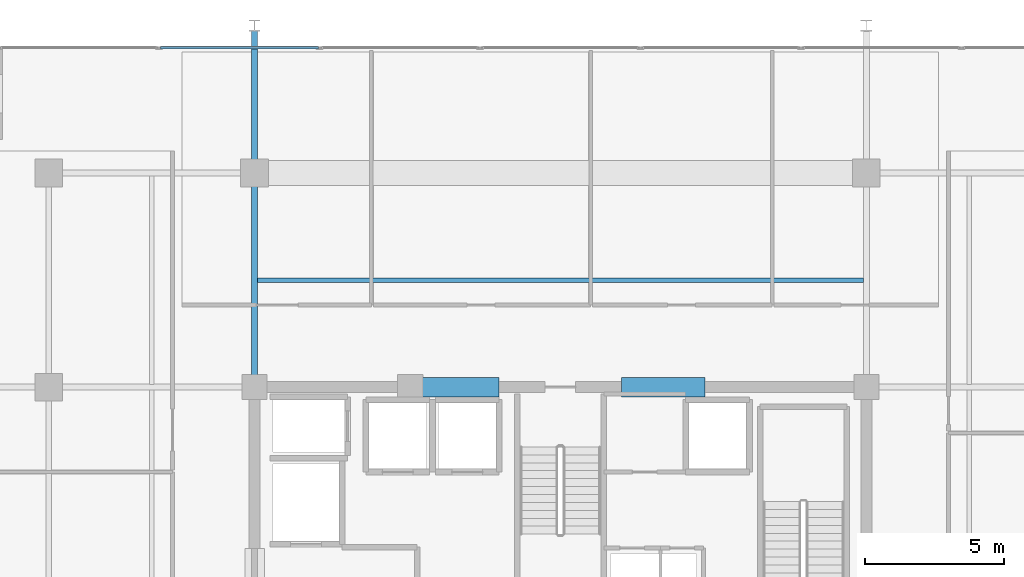
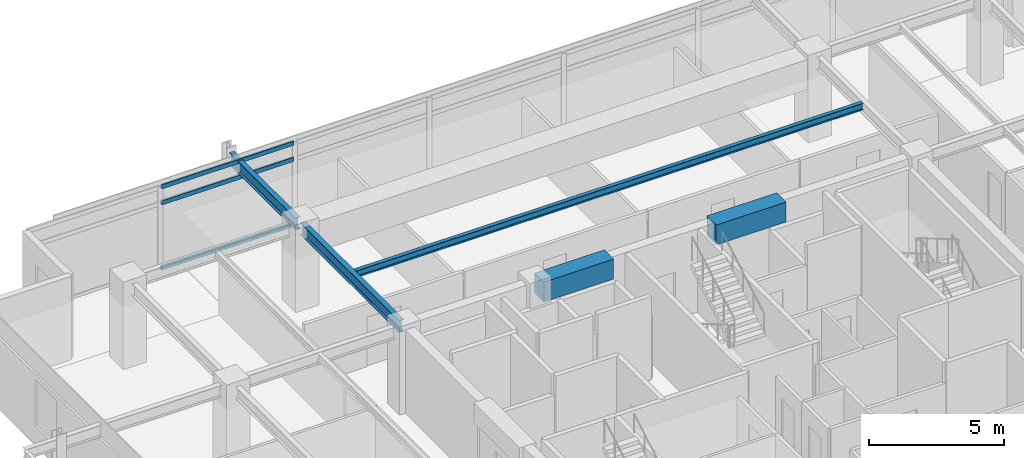
# One storey, part 6 of 20: 5 beams, 3 members, 1 element without a shape of its own.
"""IFC4 building model written with IfcOpenShell, lengths in metres."""

import ifcopenshell
import ifcopenshell.guid

model = None  # the IFC model being written
_history = None  # IfcOwnerHistory: only IFC2X3 demands one
_inside = {}  # id of a spatial element -> (the spatial element, [elements in it])
_under = {}  # id of a project, library or spatial element -> (it, [spatial elements below it])
_declared = {}  # id of a project -> (the project, [libraries it declares])
_typed = {}  # id of a type object -> (the type object, [elements of that type])
_made_of = {}  # id of a material, layer set ... -> (it, [elements and type objects made of it])


def new_model(schema):
    """Start an empty IFC model of exactly this schema.

    Asked for "IFC4X3", IfcOpenShell would pick the latest addendum, in which some entities
    have other attributes; the version numbers below select the first issue.
    IFC2X3 requires an IfcOwnerHistory on every rooted entity: one is made here for all.
    """
    global model, _history
    if schema == "IFC4X3":
        model = ifcopenshell.file(schema_version=(4, 3, 0, 0))
    else:
        model = ifcopenshell.file(schema=schema)
    _inside.clear()
    _under.clear()
    _declared.clear()
    _typed.clear()
    _made_of.clear()
    _history = None
    if model.schema == "IFC2X3":
        org = make("IfcOrganization", Name="unknown")
        user = make(
            "IfcPersonAndOrganization",
            ThePerson=make("IfcPerson", FamilyName="unknown"),
            TheOrganization=org,
        )
        app = make(
            "IfcApplication",
            ApplicationDeveloper=org,
            Version="unknown",
            ApplicationFullName="unknown",
            ApplicationIdentifier="unknown",
        )
        _history = make(
            "IfcOwnerHistory",
            OwningUser=user,
            OwningApplication=app,
            ChangeAction="ADDED",
            CreationDate=0,
        )
    return model


def make(cls, **values):
    """One entity of the class cls with the attributes given. An attribute that is None is left unset."""
    return model.create_entity(
        cls, **{name: value for name, value in values.items() if value is not None}
    )


def rooted(cls, **values):
    """An entity with a GlobalId (a new one), such as an element, a storey or a relation."""
    return make(cls, GlobalId=ifcopenshell.guid.new(), OwnerHistory=_history, **values)


def si_unit(unit_type, name, prefix=None):
    """IfcSIUnit, for example si_unit("LENGTHUNIT", "METRE", prefix="MILLI")."""
    return make("IfcSIUnit", UnitType=unit_type, Prefix=prefix, Name=name)


def assignment(units):
    """IfcUnitAssignment: the units of a project."""
    return None if units is None else make("IfcUnitAssignment", Units=units)


def point(xyz):
    """IfcCartesianPoint."""
    return None if xyz is None else make("IfcCartesianPoint", Coordinates=xyz)


def direction(xyz):
    """IfcDirection."""
    return None if xyz is None else make("IfcDirection", DirectionRatios=xyz)


def frame(location, z_axis=None, x_axis=None):
    """IfcAxis2Placement3D, a coordinate frame: its origin and axes. An axis left out is left unset."""
    return make(
        "IfcAxis2Placement3D",
        Location=point(location),
        Axis=direction(z_axis),
        RefDirection=direction(x_axis),
    )


def frame_2d(location, x_axis=None):
    """IfcAxis2Placement2D, a coordinate frame in the plane: its origin and x axis."""
    return make(
        "IfcAxis2Placement2D", Location=point(location), RefDirection=direction(x_axis)
    )


def origin():
    """The frame at (0, 0, 0) with its axes left unset."""
    return frame((0.0, 0.0, 0.0))


def origin_2d():
    """The frame at (0, 0) in the plane with its x axis left unset."""
    return frame_2d((0.0, 0.0))


def place(relative_to, where):
    """IfcLocalPlacement: puts the frame where relative to a parent placement (None: the world)."""
    return make(
        "IfcLocalPlacement", PlacementRelTo=relative_to, RelativePlacement=where
    )


def context(
    kind, dimensions, precision=None, world=None, true_north=None, identifier=None
):
    """IfcGeometricRepresentationContext, for example the 3D "Model" context."""
    return make(
        "IfcGeometricRepresentationContext",
        ContextIdentifier=identifier,
        ContextType=kind,
        CoordinateSpaceDimension=dimensions,
        Precision=precision,
        WorldCoordinateSystem=world,
        TrueNorth=true_north,
    )


def subcontext(parent, identifier, kind, view, scale=None):
    """IfcGeometricRepresentationSubContext, for example "Body" below "Model"."""
    return make(
        "IfcGeometricRepresentationSubContext",
        ContextIdentifier=identifier,
        ContextType=kind,
        ParentContext=parent,
        TargetScale=scale,
        TargetView=view,
    )


def project(units=None, contexts=None):
    """IfcProject with its units and contexts."""
    return rooted(
        "IfcProject",
        Name="project",
        RepresentationContexts=contexts,
        UnitsInContext=assignment(units),
    )


def spatial(cls, under=None, at=None, **own):
    """A site, building, storey or space (cls), placed at a placement, below another one or the project."""
    s = rooted(cls, ObjectPlacement=at, **own)
    if under is not None:
        _under.setdefault(under.id(), (under, []))[1].append(s)
    return s


def profile(cls, at=None, kind="AREA", **sizes):
    """A parametric profile (cls). Its sizes go by their IFC names, for example OverallWidth=200.0."""
    return make(cls, ProfileType=kind, Position=at, **sizes)


def rectangle(**sizes):
    """IfcRectangleProfileDef."""
    return profile("IfcRectangleProfileDef", **sizes)


def hollow_rectangle(**sizes):
    """IfcRectangleHollowProfileDef."""
    return profile("IfcRectangleHollowProfileDef", **sizes)


def i_section(**sizes):
    """IfcIShapeProfileDef."""
    return profile("IfcIShapeProfileDef", **sizes)


def extrude(swept, where, along, depth):
    """IfcExtrudedAreaSolid: the profile swept, set in the frame where, extruded along a direction by depth."""
    return make(
        "IfcExtrudedAreaSolid",
        SweptArea=swept,
        Position=where,
        ExtrudedDirection=direction(along),
        Depth=depth,
    )


def shape(context_of_items, identifier, shape_type, items):
    """IfcShapeRepresentation: the items that make up one representation, for example the "Body"."""
    return make(
        "IfcShapeRepresentation",
        ContextOfItems=context_of_items,
        RepresentationIdentifier=identifier,
        RepresentationType=shape_type,
        Items=items,
    )


def material(Name=None, Category=None):
    """IfcMaterial."""
    return make("IfcMaterial", Name=Name, Category=Category)


def material_profile(
    of_material, cross_section, Name=None, Category=None, Priority=None
):
    """IfcMaterialProfile: a cross section and its material."""
    return make(
        "IfcMaterialProfile",
        Name=Name,
        Material=of_material,
        Profile=cross_section,
        Priority=Priority,
        Category=Category,
    )


def profile_set(profiles, Name=None, composite=None):
    """IfcMaterialProfileSet."""
    return make(
        "IfcMaterialProfileSet",
        Name=Name,
        MaterialProfiles=profiles,
        CompositeProfile=composite,
    )


def made_of(thing, what):
    """Note that an element or type object is made of a material, layer set ...; save() writes the relation."""
    if what is not None:
        _made_of.setdefault(what.id(), (what, []))[1].append(thing)
    return thing


def type_object(cls, material=None, **own):
    """A type object (cls), such as IfcWallType, which elements share."""
    return made_of(rooted(cls, **own), material)


def element(
    cls,
    number,
    at=None,
    inside=None,
    cuts=None,
    type_object=None,
    material=None,
    context=None,
    identifier="Body",
    shape_type=None,
    held_by="IfcProductDefinitionShape",
    body=None,
    shapes=None,
    **own,
):
    """One element of the class cls, such as IfcWall. Its Tag is "e" and its number.

    at: its placement. inside: the storey or other place that contains it. cuts: it is an
    opening in that element (IfcRelVoidsElement). A single representation is given by context,
    identifier, shape_type and body (its items); several are given by shapes. held_by: the class
    of the entity that holds the representations. save() writes the other relations.
    """
    e = rooted(cls, Tag="e%d" % number, ObjectPlacement=at, **own)
    if body is not None:
        shapes = [shape(context, identifier, shape_type, body)]
    if shapes is not None:
        e.Representation = make(held_by, Representations=shapes)
    if inside is not None:
        _inside.setdefault(inside.id(), (inside, []))[1].append(e)
    if cuts is not None:
        rooted(
            "IfcRelVoidsElement", RelatingBuildingElement=cuts, RelatedOpeningElement=e
        )
    if type_object is not None:
        _typed.setdefault(type_object.id(), (type_object, []))[1].append(e)
    return made_of(e, material)


def aggregate(whole, parts):
    """IfcRelAggregates: a whole, such as a stair, and the parts it consists of."""
    return rooted("IfcRelAggregates", RelatingObject=whole, RelatedObjects=parts)


def save(model, path):
    """Write the relations noted so far, then the file.

    IfcRelAggregates (storeys below a building ...), IfcRelContainedInSpatialStructure (elements
    in a storey), IfcRelDefinesByType, IfcRelAssociatesMaterial and IfcRelDeclares: one each for
    every whole, place, type object, material and project.
    """
    for whole, parts in _under.values():
        aggregate(whole, parts)
    for where, things in _inside.values():
        rooted(
            "IfcRelContainedInSpatialStructure",
            RelatedElements=things,
            RelatingStructure=where,
        )
    for kind, things in _typed.values():
        rooted("IfcRelDefinesByType", RelatedObjects=things, RelatingType=kind)
    for what, things in _made_of.values():
        rooted("IfcRelAssociatesMaterial", RelatedObjects=things, RelatingMaterial=what)
    for by, libraries in _declared.values():
        rooted("IfcRelDeclares", RelatingContext=by, RelatedDefinitions=libraries)
    model.write(path)


model = new_model("IFC4")

# Units and contexts
model_context = context("Model", 3, precision=1e-05, world=origin(), true_north=direction((0.0, 1.0)))
body_context = subcontext(model_context, "Body", "Model", "MODEL_VIEW")
ifc_project = project(units=[si_unit("LENGTHUNIT", "METRE"), si_unit("AREAUNIT", "SQUARE_METRE"), si_unit("VOLUMEUNIT", "CUBIC_METRE"), si_unit("PLANEANGLEUNIT", "RADIAN"), si_unit("MASSUNIT", "GRAM", prefix="KILO")], contexts=[model_context])

# Site, building, storey
site_placement = place(None, origin())
site = spatial("IfcSite", under=ifc_project, at=site_placement, CompositionType="ELEMENT")
building_placement = place(site_placement, origin())
building = spatial("IfcBuilding", under=site, at=building_placement, Name="Kovane Verandah Tower", CompositionType="ELEMENT")
storey_placement = place(building_placement, frame((0.0, 0.0, 306.800048828125)))
storey = spatial("IfcBuildingStorey", under=building, at=storey_placement, Name="L71", CompositionType="ELEMENT", Elevation=306.800048828125)

# Beams
ifc_material_1 = material(Name="Concrete C60/75", Category="concrete")
ifc_material_profile_1 = material_profile(ifc_material_1, rectangle(XDim=0.699951171875, YDim=0.89990234375, at=origin_2d()), Name="RCB700x900")
ifc_profile_set_1 = profile_set([ifc_material_profile_1], Name="Concrete C60/75")
beam_type_1 = type_object("IfcBeamType", Name="BM-LINTEL-700x900", PredefinedType="LINTEL", material=ifc_profile_set_1)
for number, where, z_axis, x_axis, name in (
    (1, (34.800048828125, 36.5, 3.3349609375), (1.0, 0.0, 0.0), (0.0, 1.0, 0.0), "L71 Core Coupling Lintel CL-N1"),
    (2, (42.199951171875, 36.5, 3.3349609375), (1.0, 0.0, 0.0), (0.0, 1.0, 0.0), "L71 Core Coupling Lintel CL-N2"),
):
    element("IfcBeam", number, at=place(storey_placement, frame(where, z_axis=z_axis, x_axis=x_axis)), inside=storey, type_object=beam_type_1, Name=name, PredefinedType="LINTEL", context=body_context, shape_type="SweptSolid", body=[
        extrude(rectangle(XDim=0.699951171875, YDim=0.89990234375, at=origin_2d()), origin(), (0.0, 0.0, 1.0), 3.0),
    ])
ifc_material_2 = material(Name="Steel S355", Category="steel")
ifc_material_profile_2 = material_profile(ifc_material_2, i_section(OverallWidth=0.2119140625, OverallDepth=0.54443359375, WebThickness=0.0126953125, FlangeThickness=0.021240234375, FilletRadius=0.0126953125, at=origin_2d()), Name="UB533x210x122")
ifc_profile_set_2 = profile_set([ifc_material_profile_2], Name="Steel S355")
beam_type_2 = type_object("IfcBeamType", Name="BM-UB533x122", PredefinedType="BEAM", material=ifc_profile_set_2)
beam_1_placement = place(storey_placement, frame((29.0, 36.679931640625, 3.5126953125), z_axis=(0.0, 1.0, 0.0), x_axis=(-1.0, 0.0, 0.0)))
element("IfcBeam", 3, at=beam_1_placement, inside=storey, type_object=beam_type_2, Name="L71 Primary Tower Girder G-N1", PredefinedType="BEAM", context=body_context, shape_type="SweptSolid", body=[
    extrude(i_section(OverallWidth=0.2119140625, OverallDepth=0.54443359375, WebThickness=0.0126953125, FlangeThickness=0.021240234375, FilletRadius=0.0126953125, at=origin_2d()), origin(), (0.0, 0.0, 1.0), 7.340087890625),
])
beam_2_placement = place(storey_placement, frame((29.0, 44.3798828125, 3.48779296875), z_axis=(0.0, 1.0, 0.0), x_axis=(-1.0, 0.0, 0.0)))
element("IfcBeam", 4, at=beam_2_placement, inside=storey, type_object=beam_type_2, Name="L71 Primary Tower Girder G-VN1", PredefinedType="BEAM", context=body_context, shape_type="SweptSolid", body=[
    extrude(i_section(OverallWidth=0.2119140625, OverallDepth=0.54443359375, WebThickness=0.0126953125, FlangeThickness=0.021240234375, FilletRadius=0.0126953125, at=origin_2d()), origin(), (0.0, 0.0, 1.0), 4.940185546875),
])

# Curtain wall, members
ifc_material_3 = material(Name="Champagne Anodised Aluminium Frame with Low-E Clear Laminated Glass", Category="aluminium")
curtain_wall_type = type_object("IfcCurtainWallType", Name="CW-SYS-05-HIGH", PredefinedType="NOTDEFINED", material=ifc_material_3)
curtain_wall_placement = place(storey_placement, origin())
curtain_wall = element("IfcCurtainWall", 5, at=curtain_wall_placement, inside=storey, type_object=curtain_wall_type, Name="L71 N Unitised Curtain Wall", PredefinedType="NOTDEFINED")
ifc_material_4 = material(Name="Champagne Anodised Aluminium 6063-T6", Category="aluminium")
ifc_material_profile_3 = material_profile(ifc_material_4, hollow_rectangle(XDim=0.0849609375, YDim=0.18994140625, WallThickness=0.00390625, at=origin_2d()), Name="AL85x190x4")
ifc_profile_set_3 = profile_set([ifc_material_profile_3], Name="Champagne Anodised Aluminium 6063-T6")
member_type = type_object("IfcMemberType", Name="CW-TRN-85x190", PredefinedType="USERDEFINED", material=ifc_profile_set_3)
member_1_placement = place(storey_placement, frame((31.29296875, 48.699951171875, 0.050048828125), z_axis=(-1.0, 0.0, 0.0), x_axis=(0.0, -1.0, 0.0)))
member_1 = element("IfcMember", 6, at=member_1_placement, type_object=member_type, Name="L71 N Unitised Curtain Wall Transom TB Bay 6", ObjectType="TRANSOM", PredefinedType="USERDEFINED", context=body_context, shape_type="SweptSolid", body=[
    extrude(hollow_rectangle(XDim=0.0849609375, YDim=0.18994140625, WallThickness=0.00390625, at=origin_2d()), origin(), (0.0, 0.0, 1.0), 5.671630859375),
])
member_2_placement = place(storey_placement, frame((31.29296875, 48.699951171875, 3.0048828125), z_axis=(-1.0, 0.0, 0.0), x_axis=(0.0, -1.0, 0.0)))
member_2 = element("IfcMember", 7, at=member_2_placement, type_object=member_type, Name="L71 N Unitised Curtain Wall Transom TM Bay 6", ObjectType="TRANSOM", PredefinedType="USERDEFINED", context=body_context, shape_type="SweptSolid", body=[
    extrude(hollow_rectangle(XDim=0.0849609375, YDim=0.18994140625, WallThickness=0.00390625, at=origin_2d()), origin(), (0.0, 0.0, 1.0), 5.671630859375),
])
member_3_placement = place(storey_placement, frame((31.29296875, 48.699951171875, 3.73486328125), z_axis=(-1.0, 0.0, 0.0), x_axis=(0.0, -1.0, 0.0)))
member_3 = element("IfcMember", 8, at=member_3_placement, type_object=member_type, Name="L71 N Unitised Curtain Wall Transom TT Bay 6", ObjectType="TRANSOM", PredefinedType="USERDEFINED", context=body_context, shape_type="SweptSolid", body=[
    extrude(hollow_rectangle(XDim=0.0849609375, YDim=0.18994140625, WallThickness=0.00390625, at=origin_2d()), origin(), (0.0, 0.0, 1.0), 5.671630859375),
])
aggregate(curtain_wall, [member_1, member_2, member_3])

# Beam
ifc_material_profile_4 = material_profile(ifc_material_2, i_section(OverallWidth=0.1669921875, OverallDepth=0.310302734375, WebThickness=0.0078125, FlangeThickness=0.013671875, FilletRadius=0.0087890625, at=origin_2d()), Name="UB305x165x54")
ifc_profile_set_4 = profile_set([ifc_material_profile_4], Name="Steel S355")
beam_type_3 = type_object("IfcBeamType", Name="JST-UB305x54", PredefinedType="JOIST", material=ifc_profile_set_4)
beam_3_placement = place(storey_placement, frame((29.10400390625, 40.35009765625, 3.629638671875), z_axis=(1.0, 0.0, 0.0), x_axis=(0.0, 1.0, 0.0)))
element("IfcBeam", 9, at=beam_3_placement, inside=storey, type_object=beam_type_3, Name="L71 Secondary Composite Joist J-N1", PredefinedType="JOIST", context=body_context, shape_type="SweptSolid", body=[
    extrude(i_section(OverallWidth=0.1669921875, OverallDepth=0.310302734375, WebThickness=0.0078125, FlangeThickness=0.013671875, FilletRadius=0.0087890625, at=origin_2d()), origin(), (0.0, 0.0, 1.0), 21.7919921875),
])

save(model, "model.ifc")
